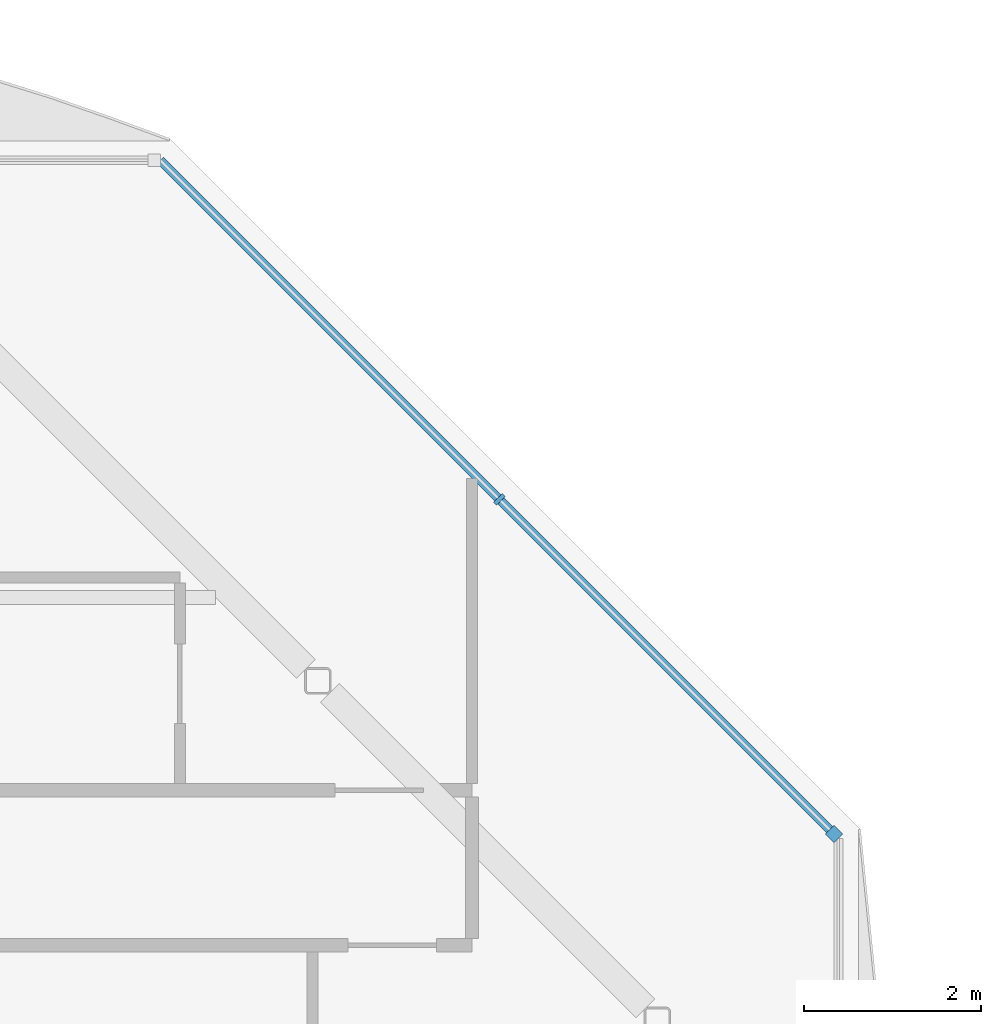
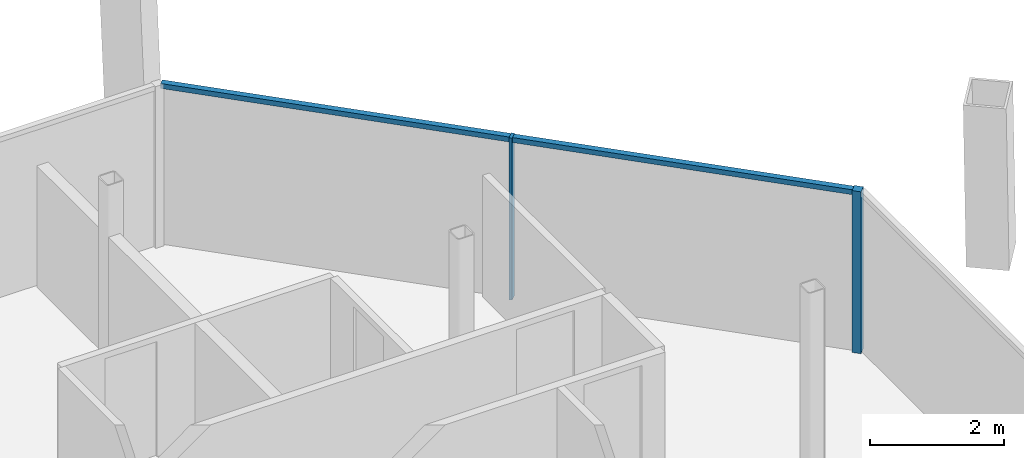
# One storey, part 10 of 17: 4 members, 1 element without a shape of its own.
"""IFC4 building model written with IfcOpenShell, lengths in metres."""

import ifcopenshell
import ifcopenshell.guid

model = None  # the IFC model being written
_history = None  # IfcOwnerHistory: only IFC2X3 demands one
_inside = {}  # id of a spatial element -> (the spatial element, [elements in it])
_under = {}  # id of a project, library or spatial element -> (it, [spatial elements below it])
_declared = {}  # id of a project -> (the project, [libraries it declares])
_typed = {}  # id of a type object -> (the type object, [elements of that type])
_made_of = {}  # id of a material, layer set ... -> (it, [elements and type objects made of it])


def new_model(schema):
    """Start an empty IFC model of exactly this schema.

    Asked for "IFC4X3", IfcOpenShell would pick the latest addendum, in which some entities
    have other attributes; the version numbers below select the first issue.
    IFC2X3 requires an IfcOwnerHistory on every rooted entity: one is made here for all.
    """
    global model, _history
    if schema == "IFC4X3":
        model = ifcopenshell.file(schema_version=(4, 3, 0, 0))
    else:
        model = ifcopenshell.file(schema=schema)
    _inside.clear()
    _under.clear()
    _declared.clear()
    _typed.clear()
    _made_of.clear()
    _history = None
    if model.schema == "IFC2X3":
        org = make("IfcOrganization", Name="unknown")
        user = make(
            "IfcPersonAndOrganization",
            ThePerson=make("IfcPerson", FamilyName="unknown"),
            TheOrganization=org,
        )
        app = make(
            "IfcApplication",
            ApplicationDeveloper=org,
            Version="unknown",
            ApplicationFullName="unknown",
            ApplicationIdentifier="unknown",
        )
        _history = make(
            "IfcOwnerHistory",
            OwningUser=user,
            OwningApplication=app,
            ChangeAction="ADDED",
            CreationDate=0,
        )
    return model


def make(cls, **values):
    """One entity of the class cls with the attributes given. An attribute that is None is left unset."""
    return model.create_entity(
        cls, **{name: value for name, value in values.items() if value is not None}
    )


def rooted(cls, **values):
    """An entity with a GlobalId (a new one), such as an element, a storey or a relation."""
    return make(cls, GlobalId=ifcopenshell.guid.new(), OwnerHistory=_history, **values)


def si_unit(unit_type, name, prefix=None):
    """IfcSIUnit, for example si_unit("LENGTHUNIT", "METRE", prefix="MILLI")."""
    return make("IfcSIUnit", UnitType=unit_type, Prefix=prefix, Name=name)


def assignment(units):
    """IfcUnitAssignment: the units of a project."""
    return None if units is None else make("IfcUnitAssignment", Units=units)


def point(xyz):
    """IfcCartesianPoint."""
    return None if xyz is None else make("IfcCartesianPoint", Coordinates=xyz)


def direction(xyz):
    """IfcDirection."""
    return None if xyz is None else make("IfcDirection", DirectionRatios=xyz)


def frame(location, z_axis=None, x_axis=None):
    """IfcAxis2Placement3D, a coordinate frame: its origin and axes. An axis left out is left unset."""
    return make(
        "IfcAxis2Placement3D",
        Location=point(location),
        Axis=direction(z_axis),
        RefDirection=direction(x_axis),
    )


def frame_2d(location, x_axis=None):
    """IfcAxis2Placement2D, a coordinate frame in the plane: its origin and x axis."""
    return make(
        "IfcAxis2Placement2D", Location=point(location), RefDirection=direction(x_axis)
    )


def origin():
    """The frame at (0, 0, 0) with its axes left unset."""
    return frame((0.0, 0.0, 0.0))


def origin_2d():
    """The frame at (0, 0) in the plane with its x axis left unset."""
    return frame_2d((0.0, 0.0))


def place(relative_to, where):
    """IfcLocalPlacement: puts the frame where relative to a parent placement (None: the world)."""
    return make(
        "IfcLocalPlacement", PlacementRelTo=relative_to, RelativePlacement=where
    )


def context(
    kind, dimensions, precision=None, world=None, true_north=None, identifier=None
):
    """IfcGeometricRepresentationContext, for example the 3D "Model" context."""
    return make(
        "IfcGeometricRepresentationContext",
        ContextIdentifier=identifier,
        ContextType=kind,
        CoordinateSpaceDimension=dimensions,
        Precision=precision,
        WorldCoordinateSystem=world,
        TrueNorth=true_north,
    )


def subcontext(parent, identifier, kind, view, scale=None):
    """IfcGeometricRepresentationSubContext, for example "Body" below "Model"."""
    return make(
        "IfcGeometricRepresentationSubContext",
        ContextIdentifier=identifier,
        ContextType=kind,
        ParentContext=parent,
        TargetScale=scale,
        TargetView=view,
    )


def project(units=None, contexts=None):
    """IfcProject with its units and contexts."""
    return rooted(
        "IfcProject",
        Name="project",
        RepresentationContexts=contexts,
        UnitsInContext=assignment(units),
    )


def spatial(cls, under=None, at=None, **own):
    """A site, building, storey or space (cls), placed at a placement, below another one or the project."""
    s = rooted(cls, ObjectPlacement=at, **own)
    if under is not None:
        _under.setdefault(under.id(), (under, []))[1].append(s)
    return s


def profile(cls, at=None, kind="AREA", **sizes):
    """A parametric profile (cls). Its sizes go by their IFC names, for example OverallWidth=200.0."""
    return make(cls, ProfileType=kind, Position=at, **sizes)


def rectangle(**sizes):
    """IfcRectangleProfileDef."""
    return profile("IfcRectangleProfileDef", **sizes)


def extrude(swept, where, along, depth):
    """IfcExtrudedAreaSolid: the profile swept, set in the frame where, extruded along a direction by depth."""
    return make(
        "IfcExtrudedAreaSolid",
        SweptArea=swept,
        Position=where,
        ExtrudedDirection=direction(along),
        Depth=depth,
    )


def shape(context_of_items, identifier, shape_type, items):
    """IfcShapeRepresentation: the items that make up one representation, for example the "Body"."""
    return make(
        "IfcShapeRepresentation",
        ContextOfItems=context_of_items,
        RepresentationIdentifier=identifier,
        RepresentationType=shape_type,
        Items=items,
    )


def material(Name=None, Category=None):
    """IfcMaterial."""
    return make("IfcMaterial", Name=Name, Category=Category)


def material_profile(
    of_material, cross_section, Name=None, Category=None, Priority=None
):
    """IfcMaterialProfile: a cross section and its material."""
    return make(
        "IfcMaterialProfile",
        Name=Name,
        Material=of_material,
        Profile=cross_section,
        Priority=Priority,
        Category=Category,
    )


def profile_set(profiles, Name=None, composite=None):
    """IfcMaterialProfileSet."""
    return make(
        "IfcMaterialProfileSet",
        Name=Name,
        MaterialProfiles=profiles,
        CompositeProfile=composite,
    )


def made_of(thing, what):
    """Note that an element or type object is made of a material, layer set ...; save() writes the relation."""
    if what is not None:
        _made_of.setdefault(what.id(), (what, []))[1].append(thing)
    return thing


def type_object(cls, material=None, **own):
    """A type object (cls), such as IfcWallType, which elements share."""
    return made_of(rooted(cls, **own), material)


def element(
    cls,
    number,
    at=None,
    inside=None,
    cuts=None,
    type_object=None,
    material=None,
    context=None,
    identifier="Body",
    shape_type=None,
    held_by="IfcProductDefinitionShape",
    body=None,
    shapes=None,
    **own,
):
    """One element of the class cls, such as IfcWall. Its Tag is "e" and its number.

    at: its placement. inside: the storey or other place that contains it. cuts: it is an
    opening in that element (IfcRelVoidsElement). A single representation is given by context,
    identifier, shape_type and body (its items); several are given by shapes. held_by: the class
    of the entity that holds the representations. save() writes the other relations.
    """
    e = rooted(cls, Tag="e%d" % number, ObjectPlacement=at, **own)
    if body is not None:
        shapes = [shape(context, identifier, shape_type, body)]
    if shapes is not None:
        e.Representation = make(held_by, Representations=shapes)
    if inside is not None:
        _inside.setdefault(inside.id(), (inside, []))[1].append(e)
    if cuts is not None:
        rooted(
            "IfcRelVoidsElement", RelatingBuildingElement=cuts, RelatedOpeningElement=e
        )
    if type_object is not None:
        _typed.setdefault(type_object.id(), (type_object, []))[1].append(e)
    return made_of(e, material)


def aggregate(whole, parts):
    """IfcRelAggregates: a whole, such as a stair, and the parts it consists of."""
    return rooted("IfcRelAggregates", RelatingObject=whole, RelatedObjects=parts)


def save(model, path):
    """Write the relations noted so far, then the file.

    IfcRelAggregates (storeys below a building ...), IfcRelContainedInSpatialStructure (elements
    in a storey), IfcRelDefinesByType, IfcRelAssociatesMaterial and IfcRelDeclares: one each for
    every whole, place, type object, material and project.
    """
    for whole, parts in _under.values():
        aggregate(whole, parts)
    for where, things in _inside.values():
        rooted(
            "IfcRelContainedInSpatialStructure",
            RelatedElements=things,
            RelatingStructure=where,
        )
    for kind, things in _typed.values():
        rooted("IfcRelDefinesByType", RelatedObjects=things, RelatingType=kind)
    for what, things in _made_of.values():
        rooted("IfcRelAssociatesMaterial", RelatedObjects=things, RelatingMaterial=what)
    for by, libraries in _declared.values():
        rooted("IfcRelDeclares", RelatingContext=by, RelatedDefinitions=libraries)
    model.write(path)


model = new_model("IFC4")

# Units and contexts
model_context = context("Model", 3, precision=1e-05, world=origin(), true_north=direction((0.0, 1.0)))
body_context = subcontext(model_context, "Body", "Model", "MODEL_VIEW")
ifc_project = project(units=[si_unit("LENGTHUNIT", "METRE"), si_unit("AREAUNIT", "SQUARE_METRE"), si_unit("VOLUMEUNIT", "CUBIC_METRE"), si_unit("PLANEANGLEUNIT", "RADIAN"), si_unit("MASSUNIT", "GRAM", prefix="KILO")], contexts=[model_context])

# Site, building, storey
site_placement = place(None, origin())
site = spatial("IfcSite", under=ifc_project, at=site_placement, CompositionType="ELEMENT")
building_placement = place(site_placement, origin())
building = spatial("IfcBuilding", under=site, at=building_placement, Name="Tskaro Facet Tower", CompositionType="ELEMENT")
storey_placement = place(building_placement, frame((0.0, 0.0, 229.800048828125)))
storey = spatial("IfcBuildingStorey", under=building, at=storey_placement, Name="L59", CompositionType="ELEMENT", Elevation=229.800048828125)

# Curtain wall, members
ifc_material = material(Name="Bronze anodised aluminium 6063-T6", Category="aluminium")
curtain_wall_type = type_object("IfcCurtainWallType", Name="Bronze residence curtain wall (FW3)", PredefinedType="NOTDEFINED", material=ifc_material)
curtain_wall_placement = place(storey_placement, origin())
curtain_wall = element("IfcCurtainWall", 1, at=curtain_wall_placement, inside=storey, type_object=curtain_wall_type, Name="FW3 north-east facet L59", PredefinedType="NOTDEFINED")
ifc_material_profile_1 = material_profile(ifc_material, rectangle(XDim=0.139892578125, YDim=0.139892578125, at=origin_2d()), Name="Corner post 140x140")
ifc_profile_set_1 = profile_set([ifc_material_profile_1], Name="Bronze anodised aluminium 6063-T6")
member_type_1 = type_object("IfcMemberType", Name="FW3 bronze corner post 140x140", PredefinedType="MULLION", material=ifc_profile_set_1)
member_1_placement = place(storey_placement, frame((15.387451171875, 10.82861328125, 0.0), z_axis=(0.0, 0.0, 1.0), x_axis=(-0.707106781187, 0.707106781187, 0.0)))
member_1 = element("IfcMember", 2, at=member_1_placement, type_object=member_type_1, Name="FW3 north-east corner post", PredefinedType="MULLION", context=body_context, shape_type="SweptSolid", body=[
    extrude(rectangle(XDim=0.139892578125, YDim=0.139892578125, at=origin_2d()), origin(), (0.0, 0.0, 1.0), 2.949951171875),
])
ifc_material_profile_2 = material_profile(ifc_material, rectangle(XDim=0.050048828125, YDim=0.139892578125, at=origin_2d()), Name="Mullion 50x140")
ifc_profile_set_2 = profile_set([ifc_material_profile_2], Name="Bronze anodised aluminium 6063-T6")
member_type_2 = type_object("IfcMemberType", Name="FW3 bronze mullion 50x140", PredefinedType="MULLION", material=ifc_profile_set_2)
member_2_placement = place(storey_placement, frame((11.60791015625, 14.60791015625, 0.0), z_axis=(0.0, 0.0, 1.0), x_axis=(-0.707106781187, 0.707106781187, 0.0)))
member_2 = element("IfcMember", 3, at=member_2_placement, type_object=member_type_2, Name="FW3 north-east mullion 1", PredefinedType="MULLION", context=body_context, shape_type="SweptSolid", body=[
    extrude(rectangle(XDim=0.050048828125, YDim=0.139892578125, at=origin_2d()), origin(), (0.0, 0.0, 1.0), 2.949951171875),
])
ifc_material_profile_3 = material_profile(ifc_material, rectangle(XDim=0.10009765625, YDim=0.090087890625, at=origin_2d()), Name="Transom 100x90")
ifc_profile_set_3 = profile_set([ifc_material_profile_3], Name="Bronze anodised aluminium 6063-T6")
member_type_3 = type_object("IfcMemberType", Name="FW3 bronze transom 100x90", PredefinedType="USERDEFINED", material=ifc_profile_set_3)
member_3_placement = place(storey_placement, frame((15.337890625, 10.8779296875, 2.905029296875), z_axis=(-0.707083529126, 0.707130032482, 0.0), x_axis=(-0.707130032482, -0.707083529126, 0.0)))
member_3 = element("IfcMember", 4, at=member_3_placement, type_object=member_type_3, Name="FW3 north-east transom 1.1", ObjectType="TRANSOM", PredefinedType="USERDEFINED", context=body_context, shape_type="SweptSolid", body=[
    extrude(rectangle(XDim=0.10009765625, YDim=0.090087890625, at=origin_2d()), origin(), (0.0, 0.0, 1.0), 5.25),
])
member_4_placement = place(storey_placement, frame((11.59033203125, 14.625732421875, 2.905029296875), z_axis=(-0.707106781187, 0.707106781187, 0.0), x_axis=(-0.707106781187, -0.707106781187, 0.0)))
member_4 = element("IfcMember", 5, at=member_4_placement, type_object=member_type_3, Name="FW3 north-east transom 2.1", ObjectType="TRANSOM", PredefinedType="USERDEFINED", context=body_context, shape_type="SweptSolid", body=[
    extrude(rectangle(XDim=0.10009765625, YDim=0.090087890625, at=origin_2d()), origin(), (0.0, 0.0, 1.0), 5.389892578125),
])
aggregate(curtain_wall, [member_1, member_2, member_3, member_4])

save(model, "model.ifc")
